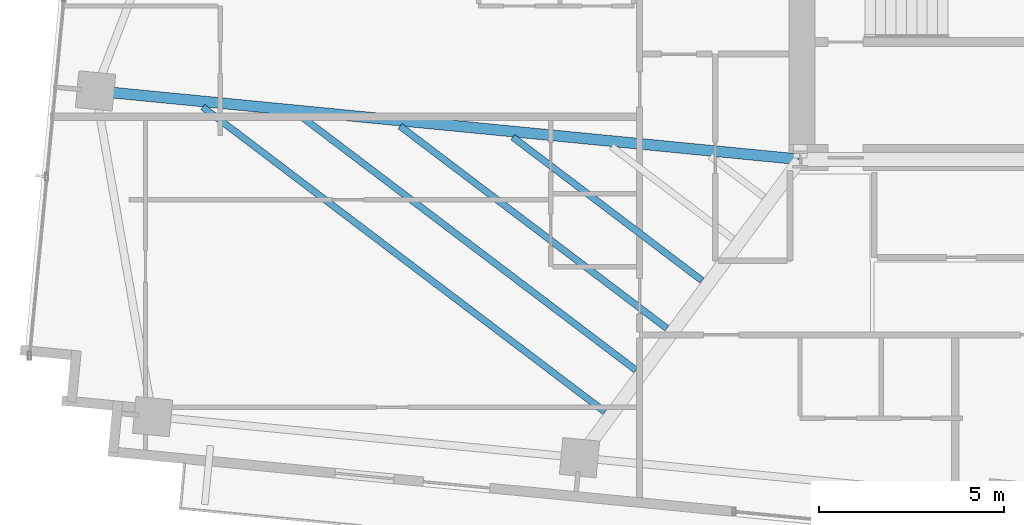
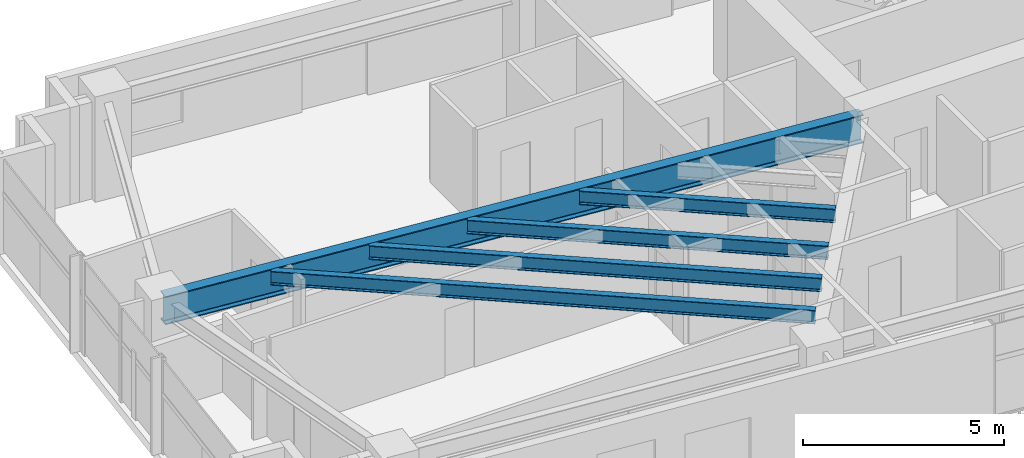
# One storey, part 3 of 20: 5 beams.
"""IFC4 building model written with IfcOpenShell, lengths in metres."""

from ifc_helpers import new_model, si_unit, direction, frame, origin, origin_2d, place, context, subcontext, project, spatial, i_section, extrude, source, transform, mapped, material, material_profile, profile_set, type_object, type_shapes, element, save


model = new_model("IFC4")

# Units and contexts
model_context = context("Model", 3, precision=1e-05, world=origin(), true_north=direction((0.0, 1.0)))
body_context = subcontext(model_context, "Body", "Model", "MODEL_VIEW")
ifc_project = project(units=[si_unit("LENGTHUNIT", "METRE"), si_unit("AREAUNIT", "SQUARE_METRE"), si_unit("VOLUMEUNIT", "CUBIC_METRE"), si_unit("PLANEANGLEUNIT", "RADIAN"), si_unit("MASSUNIT", "GRAM", prefix="KILO")], contexts=[model_context])

# Site, building, storey
site_placement = place(None, origin())
site = spatial("IfcSite", under=ifc_project, at=site_placement, CompositionType="ELEMENT")
building_placement = place(site_placement, origin())
building = spatial("IfcBuilding", under=site, at=building_placement, Name="Astriad Promenade Condominiums", CompositionType="ELEMENT")
storey_placement = place(building_placement, frame((0.0, 0.0, 156.60009765625)))
storey = spatial("IfcBuildingStorey", under=building, at=storey_placement, Name="L45", CompositionType="ELEMENT", Elevation=156.60009765625)

# Beams
ifc_material = material(Name="Steel ASTM A992 Grade 50", Category="steel")
ifc_material_profile_1 = material_profile(ifc_material, i_section(OverallWidth=0.2919921875, OverallDepth=0.85888671875, WebThickness=0.01708984375, FlangeThickness=0.031005859375, FilletRadius=0.02294921875, at=origin_2d()), Name="W33X169")
ifc_profile_set_1 = profile_set([ifc_material_profile_1], Name="Steel ASTM A992 Grade 50")
beam_type_1 = type_object("IfcBeamType", Name="STEEL PRIMARY GIRDER W33X169", PredefinedType="BEAM", material=ifc_profile_set_1)
shared_shape_1 = source(origin(), body_context, "Body", "SweptSolid", [
    extrude(i_section(OverallWidth=0.2919921875, OverallDepth=0.85888671875, WebThickness=0.01708984375, FlangeThickness=0.031005859375, FilletRadius=0.02294921875, at=origin_2d()), origin(), (0.0, 0.0, 1.0), 19.07177734375),
])
type_shapes(beam_type_1, [shared_shape_1])
beam_1_placement = place(storey_placement, frame((7.377685546875, 19.247802734375, 2.510498046875), z_axis=(0.995314830032, -0.096687068001, 0.0), x_axis=(0.096687068001, 0.995314830032, 0.0)))
element("IfcBeam", 1, at=beam_1_placement, inside=storey, type_object=beam_type_1, Name="Primary Floor Girder PG-WM-L45", PredefinedType="BEAM", context=body_context, shape_type="MappedRepresentation", body=[
    mapped(shared_shape_1, transform((0.0, 0.0, 0.0), scale=1.0)),
])
ifc_material_profile_2 = material_profile(ifc_material, i_section(OverallWidth=0.180908203125, OverallDepth=0.417236328125, WebThickness=0.010986328125, FlangeThickness=0.018310546875, FilletRadius=0.013916015625, at=origin_2d()), Name="W16X57")
ifc_profile_set_2 = profile_set([ifc_material_profile_2], Name="Steel ASTM A992 Grade 50")
beam_type_2 = type_object("IfcBeamType", Name="STEEL FLOOR JOIST W16X57", PredefinedType="JOIST", material=ifc_profile_set_2)
shared_shape_2 = source(origin(), body_context, "Body", "SweptSolid", [
    extrude(i_section(OverallWidth=0.180908203125, OverallDepth=0.417236328125, WebThickness=0.010986328125, FlangeThickness=0.018310546875, FilletRadius=0.013916015625, at=origin_2d()), origin(), (0.0, 0.0, 1.0), 13.64697265625),
])
beam_2_placement = place(storey_placement, frame((10.236572265625, 18.818115234375, 2.731201171875), z_axis=(0.796973667543, -0.604014050534, 0.0), x_axis=(0.604014050534, 0.796973667543, 0.0)))
element("IfcBeam", 2, at=beam_2_placement, inside=storey, type_object=beam_type_2, Name="Secondary Composite Floor Joist JW1-1-L45", PredefinedType="JOIST", context=body_context, shape_type="MappedRepresentation", body=[
    mapped(shared_shape_2, transform((0.0, 0.0, 0.0), scale=1.0)),
])
shared_shape_3 = source(origin(), body_context, "Body", "SweptSolid", [
    extrude(i_section(OverallWidth=0.180908203125, OverallDepth=0.417236328125, WebThickness=0.010986328125, FlangeThickness=0.018310546875, FilletRadius=0.013916015625, at=origin_2d()), origin(), (0.0, 0.0, 1.0), 11.347412109375),
])
beam_3_placement = place(storey_placement, frame((12.9052734375, 18.558837890625, 2.731201171875), z_axis=(0.796976964849, -0.60400969984, 0.0), x_axis=(0.60400969984, 0.796976964849, 0.0)))
element("IfcBeam", 3, at=beam_3_placement, inside=storey, type_object=beam_type_2, Name="Secondary Composite Floor Joist JW1-2-L45", PredefinedType="JOIST", context=body_context, shape_type="MappedRepresentation", body=[
    mapped(shared_shape_3, transform((0.0, 0.0, 0.0), scale=1.0)),
])
shared_shape_4 = source(origin(), body_context, "Body", "SweptSolid", [
    extrude(i_section(OverallWidth=0.180908203125, OverallDepth=0.417236328125, WebThickness=0.010986328125, FlangeThickness=0.018310546875, FilletRadius=0.013916015625, at=origin_2d()), origin(), (0.0, 0.0, 1.0), 9.048095703125),
])
beam_4_placement = place(storey_placement, frame((15.573974609375, 18.299560546875, 2.731201171875), z_axis=(0.796981937997, -0.604003137829, 0.0), x_axis=(0.604003137829, 0.796981937997, 0.0)))
element("IfcBeam", 4, at=beam_4_placement, inside=storey, type_object=beam_type_2, Name="Secondary Composite Floor Joist JW1-3-L45", PredefinedType="JOIST", context=body_context, shape_type="MappedRepresentation", body=[
    mapped(shared_shape_4, transform((0.0, 0.0, 0.0), scale=1.0)),
])
shared_shape_5 = source(origin(), body_context, "Body", "SweptSolid", [
    extrude(i_section(OverallWidth=0.180908203125, OverallDepth=0.417236328125, WebThickness=0.010986328125, FlangeThickness=0.018310546875, FilletRadius=0.013916015625, at=origin_2d()), origin(), (0.0, 0.0, 1.0), 6.420654296875),
])
type_shapes(beam_type_2, [shared_shape_2, shared_shape_3, shared_shape_4, shared_shape_5])
beam_5_placement = place(storey_placement, frame((18.6240234375, 18.00341796875, 2.731201171875), z_axis=(0.796964567146, -0.604026057976, 0.0), x_axis=(0.604026057976, 0.796964567146, 0.0)))
element("IfcBeam", 5, at=beam_5_placement, inside=storey, type_object=beam_type_2, Name="Secondary Composite Floor Joist JW1-4-L45", PredefinedType="JOIST", context=body_context, shape_type="MappedRepresentation", body=[
    mapped(shared_shape_5, transform((0.0, 0.0, 0.0), scale=1.0)),
])

save(model, "model.ifc")
